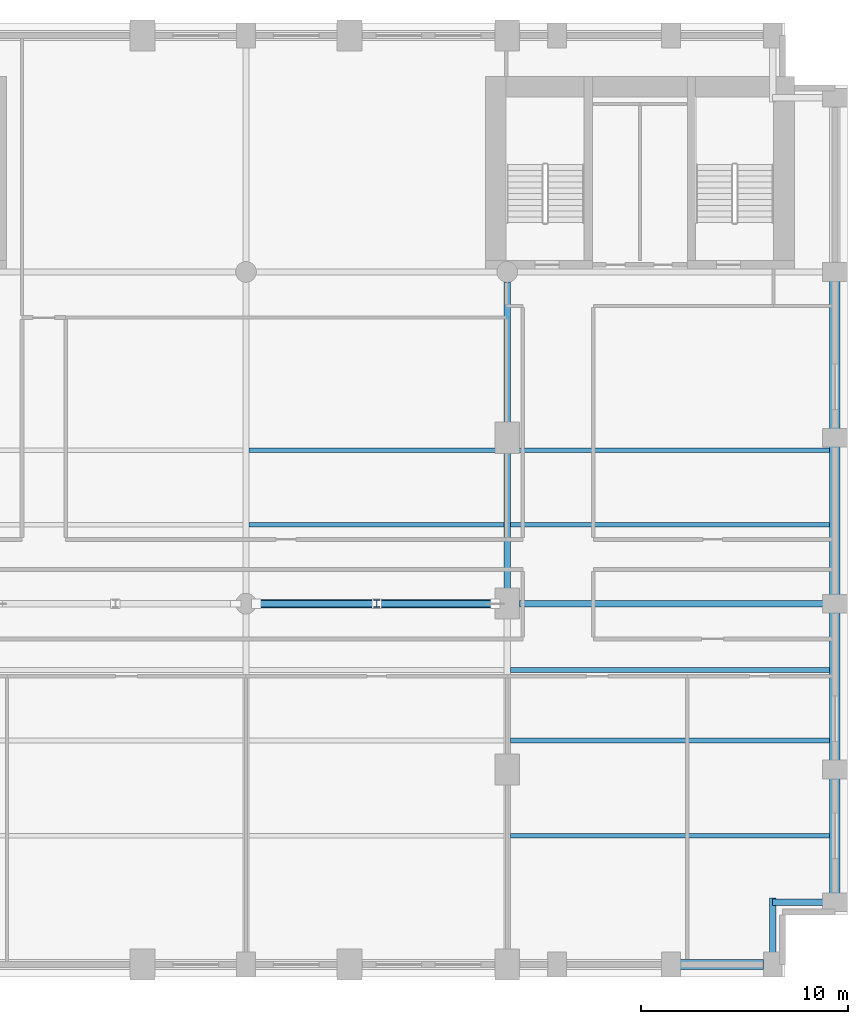
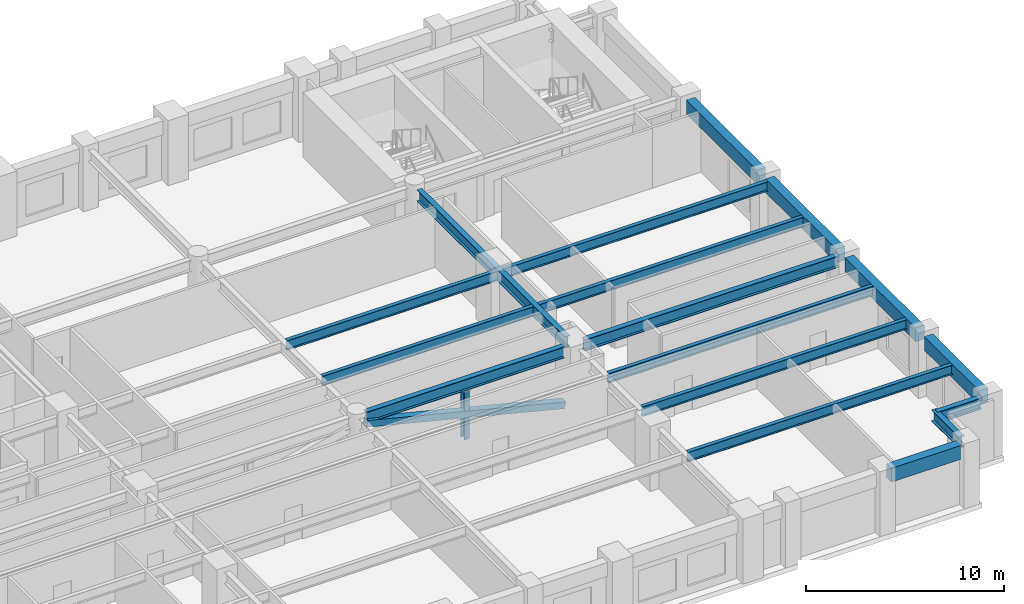
# One storey, part 3 of 10: 17 beams, 2 members.
"""IFC4 building model written with IfcOpenShell, lengths in metres."""

from ifc_helpers import new_model, si_unit, direction, frame, origin, origin_2d, place, context, subcontext, project, spatial, rectangle, hollow_rectangle, i_section, extrude, material, material_profile, profile_set, type_object, element, save


model = new_model("IFC4")

# Units and contexts
model_context = context("Model", 3, precision=1e-05, world=origin(), true_north=direction((0.0, 1.0)))
body_context = subcontext(model_context, "Body", "Model", "MODEL_VIEW")
ifc_project = project(units=[si_unit("LENGTHUNIT", "METRE"), si_unit("AREAUNIT", "SQUARE_METRE"), si_unit("VOLUMEUNIT", "CUBIC_METRE"), si_unit("PLANEANGLEUNIT", "RADIAN"), si_unit("MASSUNIT", "GRAM", prefix="KILO")], contexts=[model_context])

# Site, building, storey
site_placement = place(None, origin())
site = spatial("IfcSite", under=ifc_project, at=site_placement, CompositionType="ELEMENT")
building_placement = place(site_placement, origin())
building = spatial("IfcBuilding", under=site, at=building_placement, Name="Sulina Concourse Tower", CompositionType="ELEMENT")
storey_placement = place(building_placement, frame((0.0, 0.0, 50.60009765625)))
storey = spatial("IfcBuildingStorey", under=building, at=storey_placement, Name="L12", CompositionType="ELEMENT", Elevation=50.60009765625)

# Beams
ifc_material_1 = material(Name="Steel S355", Category="steel")
ifc_material_profile_1 = material_profile(ifc_material_1, i_section(OverallWidth=0.219970703125, OverallDepth=0.60009765625, WebThickness=0.011962890625, FlangeThickness=0.01904296875, at=origin_2d()), Name="IPE 600")
ifc_profile_set_1 = profile_set([ifc_material_profile_1], Name="Steel S355")
beam_type_1 = type_object("IfcBeamType", Name="Composite Floor Joist IPE600", PredefinedType="JOIST", material=ifc_profile_set_1)
for number, where, z_axis, x_axis, name in (
    (1, (41.75, 6.800048828125, 3.39990234375), (1.0, 0.0, 0.0), (0.0, 1.0, 0.0), "FJ-J06-4-L12"),
    (2, (41.75, 11.39990234375, 3.39990234375), (1.0, 0.0, 0.0), (0.0, 1.0, 0.0), "FJ-J11-4-L12"),
    (3, (41.75, 14.800048828125, 3.39990234375), (1.0, 0.0, 0.0), (0.0, 1.0, 0.0), "FJ-J15-4-L12"),
):
    element("IfcBeam", number, at=place(storey_placement, frame(where, z_axis=z_axis, x_axis=x_axis)), inside=storey, type_object=beam_type_1, Name=name, PredefinedType="JOIST", context=body_context, shape_type="SweptSolid", body=[
        extrude(i_section(OverallWidth=0.219970703125, OverallDepth=0.60009765625, WebThickness=0.011962890625, FlangeThickness=0.01904296875, at=origin_2d()), origin(), (0.0, 0.0, 1.0), 15.39990234375),
    ])
beam_1_placement = place(storey_placement, frame((29.14990234375, 21.800048828125, 3.39990234375), z_axis=(1.0, 0.0, 0.0), x_axis=(0.0, 1.0, 0.0)))
element("IfcBeam", 4, at=beam_1_placement, inside=storey, type_object=beam_type_1, Name="FJ-J22-3-L12", PredefinedType="JOIST", context=body_context, shape_type="SweptSolid", body=[
    extrude(i_section(OverallWidth=0.219970703125, OverallDepth=0.60009765625, WebThickness=0.011962890625, FlangeThickness=0.01904296875, at=origin_2d()), origin(), (0.0, 0.0, 1.0), 12.300048828125),
])
beam_2_placement = place(storey_placement, frame((41.75, 21.800048828125, 3.39990234375), z_axis=(1.0, 0.0, 0.0), x_axis=(0.0, 1.0, 0.0)))
element("IfcBeam", 5, at=beam_2_placement, inside=storey, type_object=beam_type_1, Name="FJ-J22-4-L12", PredefinedType="JOIST", context=body_context, shape_type="SweptSolid", body=[
    extrude(i_section(OverallWidth=0.219970703125, OverallDepth=0.60009765625, WebThickness=0.011962890625, FlangeThickness=0.01904296875, at=origin_2d()), origin(), (0.0, 0.0, 1.0), 15.39990234375),
])
beam_3_placement = place(storey_placement, frame((29.14990234375, 25.39990234375, 3.39990234375), z_axis=(1.0, 0.0, 0.0), x_axis=(0.0, 1.0, 0.0)))
element("IfcBeam", 6, at=beam_3_placement, inside=storey, type_object=beam_type_1, Name="FJ-J25-3-L12", PredefinedType="JOIST", context=body_context, shape_type="SweptSolid", body=[
    extrude(i_section(OverallWidth=0.219970703125, OverallDepth=0.60009765625, WebThickness=0.011962890625, FlangeThickness=0.01904296875, at=origin_2d()), origin(), (0.0, 0.0, 1.0), 12.300048828125),
])
beam_4_placement = place(storey_placement, frame((41.75, 25.39990234375, 3.39990234375), z_axis=(1.0, 0.0, 0.0), x_axis=(0.0, 1.0, 0.0)))
element("IfcBeam", 7, at=beam_4_placement, inside=storey, type_object=beam_type_1, Name="FJ-J25-4-L12", PredefinedType="JOIST", context=body_context, shape_type="SweptSolid", body=[
    extrude(i_section(OverallWidth=0.219970703125, OverallDepth=0.60009765625, WebThickness=0.011962890625, FlangeThickness=0.01904296875, at=origin_2d()), origin(), (0.0, 0.0, 1.0), 15.39990234375),
])
ifc_material_2 = material(Name="Steel S355", Category="steel")
ifc_material_profile_2 = material_profile(ifc_material_2, i_section(OverallWidth=0.300048828125, OverallDepth=0.699951171875, WebThickness=0.01708984375, FlangeThickness=0.031982421875, at=origin_2d()), Name="HE 700 B")
ifc_profile_set_2 = profile_set([ifc_material_profile_2], Name="Steel S355")
beam_type_2 = type_object("IfcBeamType", Name="Floor Primary Girder Zone 1 HE700B", PredefinedType="BEAM", material=ifc_profile_set_2)
beam_5_placement = place(storey_placement, frame((54.39990234375, 3.60009765625, 3.349853515625), z_axis=(1.0, 0.0, 0.0), x_axis=(0.0, 1.0, 0.0)))
element("IfcBeam", 8, at=beam_5_placement, inside=storey, type_object=beam_type_2, Name="TIE-SE-L12", PredefinedType="BEAM", context=body_context, shape_type="SweptSolid", body=[
    extrude(i_section(OverallWidth=0.300048828125, OverallDepth=0.699951171875, WebThickness=0.01708984375, FlangeThickness=0.031982421875, at=origin_2d()), origin(), (0.0, 0.0, 1.0), 2.570068359375),
])
beam_6_placement = place(storey_placement, frame((54.39990234375, 1.030029296875, 3.349853515625), z_axis=(0.0, 1.0, 0.0), x_axis=(-1.0, 0.0, 0.0)))
element("IfcBeam", 9, at=beam_6_placement, inside=storey, type_object=beam_type_2, Name="TIE-SES-L12", PredefinedType="BEAM", context=body_context, shape_type="SweptSolid", body=[
    extrude(i_section(OverallWidth=0.300048828125, OverallDepth=0.699951171875, WebThickness=0.01708984375, FlangeThickness=0.031982421875, at=origin_2d()), origin(), (0.0, 0.0, 1.0), 2.77001953125),
])
beam_7_placement = place(storey_placement, frame((29.47998046875, 18.0, 3.349853515625), z_axis=(1.0, 0.0, 0.0), x_axis=(0.0, 1.0, 0.0)))
element("IfcBeam", 10, at=beam_7_placement, inside=storey, type_object=beam_type_2, Name="FG-EW3-L12", PredefinedType="BEAM", context=body_context, shape_type="SweptSolid", body=[
    extrude(i_section(OverallWidth=0.300048828125, OverallDepth=0.699951171875, WebThickness=0.01708984375, FlangeThickness=0.031982421875, at=origin_2d()), origin(), (0.0, 0.0, 1.0), 11.5400390625),
])
beam_8_placement = place(storey_placement, frame((42.179931640625, 18.0, 3.349853515625), z_axis=(1.0, 0.0, 0.0), x_axis=(0.0, 1.0, 0.0)))
element("IfcBeam", 11, at=beam_8_placement, inside=storey, type_object=beam_type_2, Name="FG-EW4-L12", PredefinedType="BEAM", context=body_context, shape_type="SweptSolid", body=[
    extrude(i_section(OverallWidth=0.300048828125, OverallDepth=0.699951171875, WebThickness=0.01708984375, FlangeThickness=0.031982421875, at=origin_2d()), origin(), (0.0, 0.0, 1.0), 14.7900390625),
])
beam_9_placement = place(storey_placement, frame((41.60009765625, 18.580078125, 3.349853515625), z_axis=(0.0, 1.0, 0.0), x_axis=(-1.0, 0.0, 0.0)))
element("IfcBeam", 12, at=beam_9_placement, inside=storey, type_object=beam_type_2, Name="FG-NSB-41-L12", PredefinedType="BEAM", context=body_context, shape_type="SweptSolid", body=[
    extrude(i_section(OverallWidth=0.300048828125, OverallDepth=0.699951171875, WebThickness=0.01708984375, FlangeThickness=0.031982421875, at=origin_2d()), origin(), (0.0, 0.0, 1.0), 14.93994140625),
])

# Member
ifc_material_3 = material(Name="Steel S355", Category="steel")
ifc_material_profile_3 = material_profile(ifc_material_3, hollow_rectangle(XDim=0.39990234375, YDim=0.39990234375, WallThickness=0.02001953125, at=origin_2d()), Name="SHS 400x400x20")
ifc_profile_set_3 = profile_set([ifc_material_profile_3], Name="Steel S355")
member_type_1 = type_object("IfcMemberType", Name="Lower Portal Bridge Web Brace SHS400x400x20", PredefinedType="BRACE", material=ifc_profile_set_3)
member_1_placement = place(storey_placement, frame((41.010009765625, 18.0, 0.119873046875), z_axis=(-0.969941447513, 0.0, 0.243338423593), x_axis=(0.0, -1.0, 0.0)))
element("IfcMember", 13, at=member_1_placement, inside=storey, type_object=member_type_1, Name="LBT-DG-2-L12", PredefinedType="BRACE", context=body_context, shape_type="SweptSolid", body=[
    extrude(hollow_rectangle(XDim=0.39990234375, YDim=0.39990234375, WallThickness=0.02001953125, at=origin_2d()), origin(), (0.0, 0.0, 1.0), 11.876953125),
])

# Beams
ifc_material_4 = material(Name="Precast concrete C50/60", Category="concrete")
ifc_material_profile_4 = material_profile(ifc_material_4, rectangle(XDim=0.5, YDim=0.85009765625, at=origin_2d()), Name="RC 500x850")
ifc_profile_set_4 = profile_set([ifc_material_profile_4], Name="Precast concrete C50/60")
beam_type_3 = type_object("IfcBeamType", Name="Lower Precast Spandrel Edge Beam 500x850", PredefinedType="BEAM", material=ifc_profile_set_4)
beam_10_placement = place(storey_placement, frame((49.929931640625, 0.60009765625, 3.27490234375), z_axis=(1.0, 0.0, 0.0), x_axis=(0.0, 1.0, 0.0)))
element("IfcBeam", 14, at=beam_10_placement, inside=storey, type_object=beam_type_3, Name="SP-S10-L12", PredefinedType="BEAM", context=body_context, shape_type="SweptSolid", body=[
    extrude(rectangle(XDim=0.5, YDim=0.85009765625, at=origin_2d()), origin(), (0.0, 0.0, 1.0), 4.0400390625),
])
beam_11_placement = place(storey_placement, frame((57.39990234375, 4.030029296875, 3.27490234375), z_axis=(0.0, 1.0, 0.0), x_axis=(-1.0, 0.0, 0.0)))
element("IfcBeam", 15, at=beam_11_placement, inside=storey, type_object=beam_type_3, Name="SP-E1-L12", PredefinedType="BEAM", context=body_context, shape_type="SweptSolid", body=[
    extrude(rectangle(XDim=0.5, YDim=0.85009765625, at=origin_2d()), origin(), (0.0, 0.0, 1.0), 5.5400390625),
])
for number, where, z_axis, x_axis, name in (
    (16, (57.39990234375, 10.429931640625, 3.27490234375), (0.0, 1.0, 0.0), (-1.0, 0.0, 0.0), "SP-E2-L12"),
    (17, (57.39990234375, 18.429931640625, 3.27490234375), (0.0, 1.0, 0.0), (-1.0, 0.0, 0.0), "SP-E3-L12"),
    (18, (57.39990234375, 26.429931640625, 3.27490234375), (0.0, 1.0, 0.0), (-1.0, 0.0, 0.0), "SP-E4-L12"),
):
    element("IfcBeam", number, at=place(storey_placement, frame(where, z_axis=z_axis, x_axis=x_axis)), inside=storey, type_object=beam_type_3, Name=name, PredefinedType="BEAM", context=body_context, shape_type="SweptSolid", body=[
        extrude(rectangle(XDim=0.5, YDim=0.85009765625, at=origin_2d()), origin(), (0.0, 0.0, 1.0), 7.14013671875),
    ])

# Member
ifc_material_5 = material(Name="Steel S355", Category="steel")
ifc_material_profile_5 = material_profile(ifc_material_5, i_section(OverallWidth=0.300048828125, OverallDepth=0.360107421875, WebThickness=0.012451171875, FlangeThickness=0.0224609375, at=origin_2d()), Name="HE 360 B")
ifc_profile_set_5 = profile_set([ifc_material_profile_5], Name="Steel S355")
member_type_2 = type_object("IfcMemberType", Name="Truss Vertical Post Strut HE360B", PredefinedType="STRUT", material=ifc_profile_set_5)
member_2_placement = place(storey_placement, frame((35.300048828125, 18.0, 0.0048828125), z_axis=(0.0, 0.0, 1.0), x_axis=(1.0, 0.0, 0.0)))
element("IfcMember", 19, at=member_2_placement, inside=storey, type_object=member_type_2, Name="LBT-VP-2-L12", PredefinedType="STRUT", context=body_context, shape_type="SweptSolid", body=[
    extrude(i_section(OverallWidth=0.300048828125, OverallDepth=0.360107421875, WebThickness=0.012451171875, FlangeThickness=0.0224609375, at=origin_2d()), origin(), (0.0, 0.0, 1.0), 3.005126953125),
])

save(model, "model.ifc")
